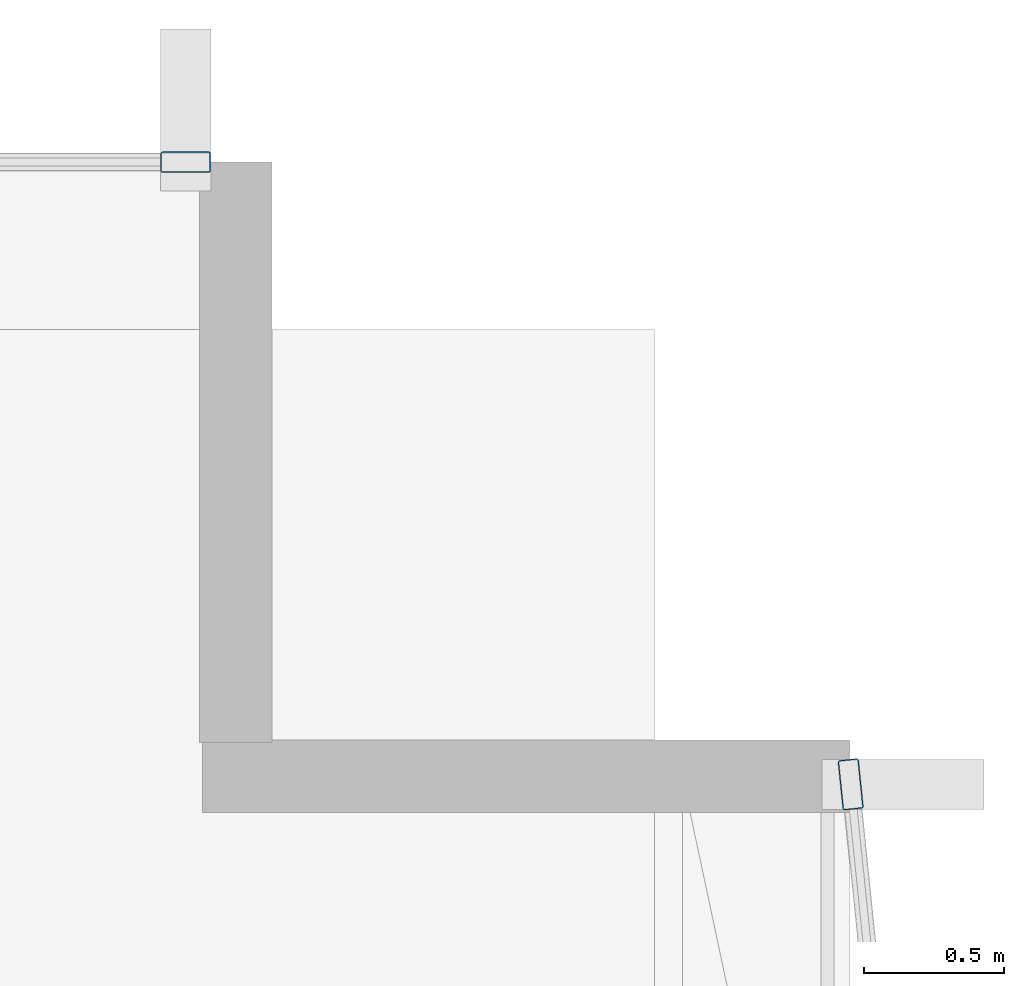
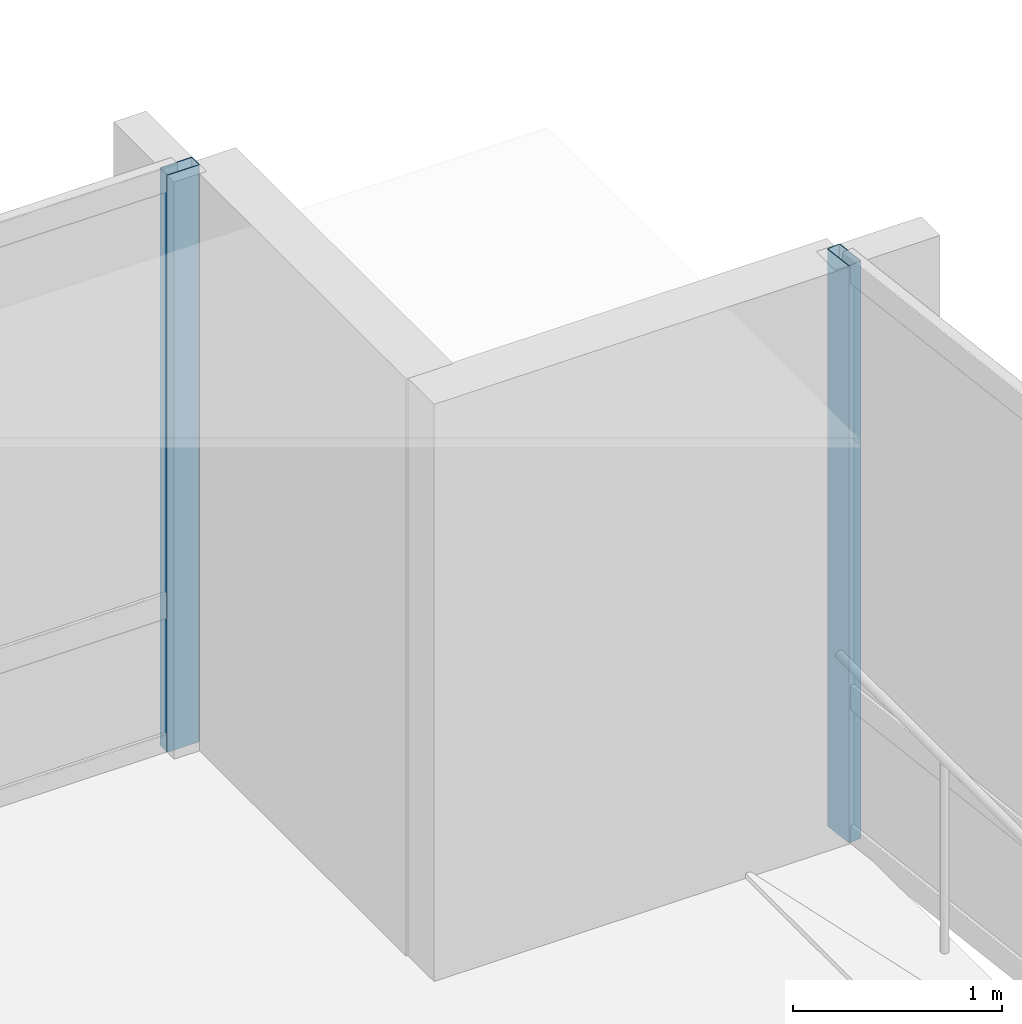
# One storey, part 17 of 34: 2 members, 2 elements without a shape of their own.
"""IFC4 building model written with IfcOpenShell, lengths in metres."""

from ifc_helpers import new_model, si_unit, direction, frame, origin, origin_2d, place, context, subcontext, project, spatial, hollow_rectangle, extrude, material, layer, layer_set, material_profile, profile_set, type_object, element, aggregate, save


model = new_model("IFC4")

# Units and contexts
model_context = context("Model", 3, precision=1e-05, world=origin(), true_north=direction((0.0, 1.0)))
body_context = subcontext(model_context, "Body", "Model", "MODEL_VIEW")
ifc_project = project(units=[si_unit("LENGTHUNIT", "METRE"), si_unit("AREAUNIT", "SQUARE_METRE"), si_unit("VOLUMEUNIT", "CUBIC_METRE"), si_unit("PLANEANGLEUNIT", "RADIAN"), si_unit("MASSUNIT", "GRAM", prefix="KILO")], contexts=[model_context])

# Site, building, storey
site_placement = place(None, origin())
site = spatial("IfcSite", under=ifc_project, at=site_placement, CompositionType="ELEMENT")
building_placement = place(site_placement, origin())
building = spatial("IfcBuilding", under=site, at=building_placement, Name="Solvaryn Broadcast Tower", CompositionType="ELEMENT")
storey_placement = place(building_placement, frame((0.0, 0.0, 96.5)))
storey = spatial("IfcBuildingStorey", under=building, at=storey_placement, Name="L23", CompositionType="ELEMENT", Elevation=96.5)

# Curtain wall, member
ifc_material_1 = material(Name="Aluminium and Terracotta Unitised Curtain Wall", Category="masonry")
ifc_layer = layer(ifc_material_1, 0.199951171875)
ifc_layer_set = layer_set([ifc_layer], Name="CW-SYS2-LOWMID")
curtain_wall_type = type_object("IfcCurtainWallType", Name="CW-SYS2-LOWMID", PredefinedType="NOTDEFINED", material=ifc_layer_set)
curtain_wall_1_placement = place(storey_placement, origin())
curtain_wall_1 = element("IfcCurtainWall", 1, at=curtain_wall_1_placement, inside=storey, type_object=curtain_wall_type, Name="L23 Curtain Wall ET1", PredefinedType="NOTDEFINED")
ifc_material_2 = material(Name="Anodised Aluminium 6063-T6", Category="aluminium")
ifc_material_profile = material_profile(ifc_material_2, hollow_rectangle(XDim=0.074951171875, YDim=0.179931640625, WallThickness=0.00390625, InnerFilletRadius=0.00390625, OuterFilletRadius=0.008056640625, at=origin_2d()))
ifc_profile_set = profile_set([ifc_material_profile], Name="Anodised Aluminium 6063-T6")
member_type = type_object("IfcMemberType", Name="CW-MUL-180", PredefinedType="MULLION", material=ifc_profile_set)
member_1_placement = place(storey_placement, frame((63.003173828125, 24.770263671875, 0.0), z_axis=(0.0, 0.0, 1.0), x_axis=(0.99474329889, 0.10240004548, 0.0)))
member_1 = element("IfcMember", 2, at=member_1_placement, type_object=member_type, Name="CWS2 mullion 1", PredefinedType="MULLION", context=body_context, shape_type="SweptSolid", body=[
    extrude(hollow_rectangle(XDim=0.074951171875, YDim=0.179931640625, WallThickness=0.00390625, InnerFilletRadius=0.00390625, OuterFilletRadius=0.008056640625, at=origin_2d()), origin(), (0.0, 0.0, 1.0), 3.3701171875),
])
aggregate(curtain_wall_1, [member_1])

curtain_wall_2_placement = place(storey_placement, origin())
curtain_wall_2 = element("IfcCurtainWall", 3, at=curtain_wall_2_placement, inside=storey, type_object=curtain_wall_type, Name="L23 Curtain Wall IH", PredefinedType="NOTDEFINED")
member_2_placement = place(storey_placement, frame((60.6201171875, 27.0, 0.0), z_axis=(0.0, 0.0, 1.0), x_axis=(0.0, 1.0, 0.0)))
member_2 = element("IfcMember", 4, at=member_2_placement, type_object=member_type, Name="CWS2 mullion 2", PredefinedType="MULLION", context=body_context, shape_type="SweptSolid", body=[
    extrude(hollow_rectangle(XDim=0.074951171875, YDim=0.179931640625, WallThickness=0.00390625, InnerFilletRadius=0.00390625, OuterFilletRadius=0.008056640625, at=origin_2d()), origin(), (0.0, 0.0, 1.0), 3.3701171875),
])
aggregate(curtain_wall_2, [member_2])

save(model, "model.ifc")
